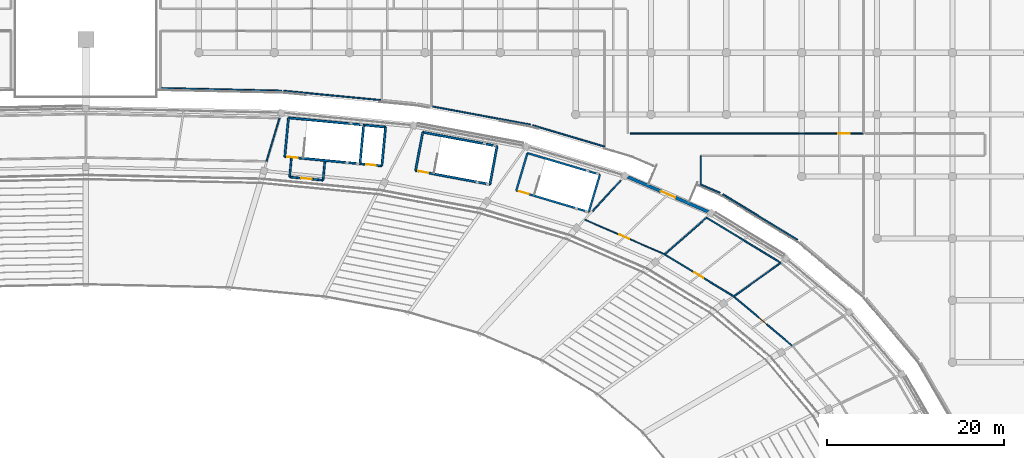
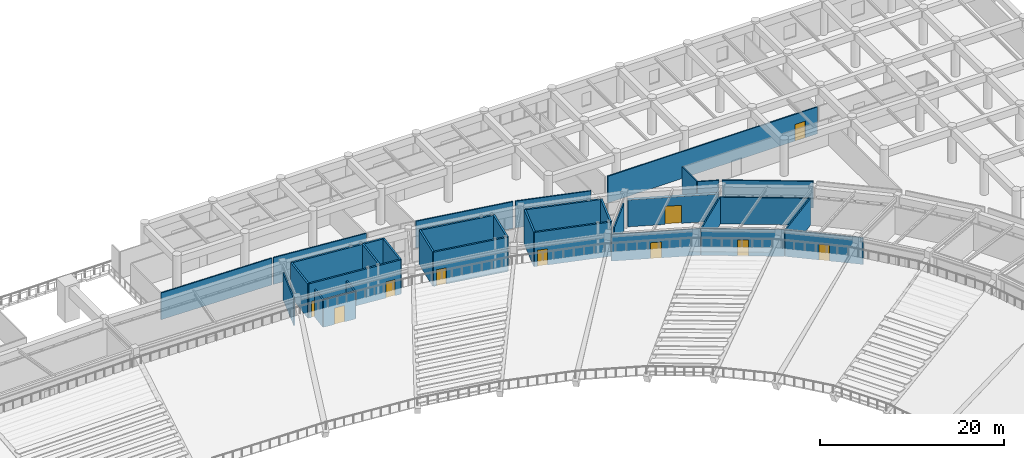
# One storey, part 106 of 137: 33 walls, 10 doors, 10 openings.
"""IFC4 building model written with IfcOpenShell, lengths in metres."""

from ifc_helpers import new_model, si_unit, direction, frame, frame_2d, origin, place, context, subcontext, project, spatial, rectangle, extrude, material, layer, layer_set, type_object, element, fill, save


model = new_model("IFC4")

# Units and contexts
model_context = context("Model", 3, precision=1e-05, world=origin(), true_north=direction((0.0, 1.0)))
body_context = subcontext(model_context, "Body", "Model", "MODEL_VIEW")
ifc_project = project(units=[si_unit("LENGTHUNIT", "METRE"), si_unit("AREAUNIT", "SQUARE_METRE"), si_unit("VOLUMEUNIT", "CUBIC_METRE"), si_unit("PLANEANGLEUNIT", "RADIAN"), si_unit("MASSUNIT", "GRAM", prefix="KILO")], contexts=[model_context])

# Site, building, storey
site_placement = place(None, origin())
site = spatial("IfcSite", under=ifc_project, at=site_placement, CompositionType="ELEMENT")
building_placement = place(site_placement, origin())
building = spatial("IfcBuilding", under=site, at=building_placement, Name="Mphavela Belvedere Stadium", CompositionType="ELEMENT")
storey_placement = place(building_placement, frame((0.0, 0.0, 19.199951171875)))
storey = spatial("IfcBuildingStorey", under=building, at=storey_placement, Name="L04", CompositionType="ELEMENT", Elevation=19.199951171875)

# Walls
ifc_material_1 = material(Name="Concrete C40/50", Category="concrete")
ifc_layer_1 = layer(ifc_material_1, 0.219970703125)
ifc_layer_set_1 = layer_set([ifc_layer_1], Name="Concrete C40/50")
wall_type_1 = type_object("IfcWallType", Name="WAL-CORE-SHEAR-220", PredefinedType="SHEAR", material=ifc_layer_set_1)
wall_1_placement = place(storey_placement, frame((137.908935546875, 159.633544921875, 0.0), z_axis=(0.0, 0.0, 1.0), x_axis=(0.99547962713, -0.094975322952, 0.0)))
element("IfcWall", 1, at=wall_1_placement, inside=storey, type_object=wall_type_1, Name="Core C03 shear wall L04 rear", PredefinedType="SHEAR", context=body_context, shape_type="SweptSolid", body=[
    extrude(rectangle(XDim=11.02001953125, YDim=0.219970703125, at=frame_2d((5.510009765625, 0.0))), origin(), (0.0, 0.0, 1.0), 4.550048828125),
])
wall_2_placement = place(storey_placement, frame((137.489990234375, 155.243408203125, 0.0), z_axis=(0.0, 0.0, 1.0), x_axis=(0.094997189401, 0.995477540684, 0.0)))
element("IfcWall", 2, at=wall_2_placement, inside=storey, type_object=wall_type_1, Name="Core C03 shear wall L04 left", PredefinedType="SHEAR", context=body_context, shape_type="SweptSolid", body=[
    extrude(rectangle(XDim=4.41015625, YDim=0.219970703125, at=frame_2d((2.205078125, 0.0))), origin(), (0.0, 0.0, 1.0), 4.550048828125),
])
wall_3_placement = place(storey_placement, frame((148.460205078125, 154.197021484375, 0.0), z_axis=(0.0, 0.0, 1.0), x_axis=(0.095002424918, 0.995477041051, 0.0)))
element("IfcWall", 3, at=wall_3_placement, inside=storey, type_object=wall_type_1, Name="Core C03 shear wall L04 right", PredefinedType="SHEAR", context=body_context, shape_type="SweptSolid", body=[
    extrude(rectangle(XDim=4.409912109375, YDim=0.219970703125, at=frame_2d((2.205078125, 0.0))), origin(), (0.0, 0.0, 1.0), 4.550048828125),
])

# Wall, openings, doors
wall_4_placement = place(storey_placement, frame((137.489990234375, 155.243408203125, 0.0), z_axis=(0.0, 0.0, 1.0), x_axis=(0.995481721489, -0.094953368458, 0.0)))
wall_4 = element("IfcWall", 4, at=wall_4_placement, inside=storey, type_object=wall_type_1, Name="Core C03 shear wall L04 front", PredefinedType="SHEAR", context=body_context, shape_type="SweptSolid", body=[
    extrude(rectangle(XDim=11.02001953125, YDim=0.219970703125, at=frame_2d((5.510009765625, 0.0))), origin(), (0.0, 0.0, 1.0), 4.550048828125),
])
opening_1_placement = place(wall_4_placement, frame((0.300048828125, 0.0, 0.0)))
opening_1 = element("IfcOpeningElement", 5, at=opening_1_placement, cuts=wall_4, Name="Opening SD-015", PredefinedType="OPENING", context=body_context, shape_type="SweptSolid", body=[
    extrude(rectangle(XDim=1.14990234375, YDim=2.14990234375, at=frame_2d((0.574951171875, 1.074951171875))), frame((0.0, 0.1201171875, 0.0), z_axis=(0.0, -1.0, 0.0), x_axis=(1.0, 0.0, 0.0)), (0.0, 0.0, 1.0), 0.239990234375),
])
opening_2_placement = place(wall_4_placement, frame((9.22998046875, 0.0, 0.0)))
opening_2 = element("IfcOpeningElement", 6, at=opening_2_placement, cuts=wall_4, Name="Opening LD-015", PredefinedType="OPENING", context=body_context, shape_type="SweptSolid", body=[
    extrude(rectangle(XDim=1.10009765625, YDim=2.14990234375, at=frame_2d((0.550048828125, 1.074951171875))), frame((0.0, 0.1201171875, 0.0), z_axis=(0.0, -1.0, 0.0), x_axis=(1.0, 0.0, 0.0)), (0.0, 0.0, 1.0), 0.239990234375),
])
ifc_material_2 = material(Name="Stainless steel center-parting lift landing door", Category="steel")
door_type_1 = type_object("IfcDoorType", Name="DR-LIFT-SLIDE-1100", OperationType="NOTDEFINED", PredefinedType="DOOR", material=ifc_material_2)
door_1_placement = place(opening_2_placement, origin())
door_1 = element("IfcDoor", 7, at=door_1_placement, inside=storey, type_object=door_type_1, Name="Lift landing sliding door FL02 L04", OperationType="DOUBLE_DOOR_SLIDING", OverallHeight=2.14990234375, OverallWidth=1.10009765625, PredefinedType="DOOR", context=body_context, shape_type="SweptSolid", body=[
    extrude(rectangle(XDim=1.10009765625, YDim=2.14990234375, at=frame_2d((0.550048828125, 1.074951171875))), frame((0.0, 0.02490234375, 0.0), z_axis=(0.0, -1.0, 0.0), x_axis=(1.0, 0.0, 0.0)), (0.0, 0.0, 1.0), 0.050048828125),
])
fill(opening_2, door_1)
ifc_material_3 = material(Name="Steel acoustic fire-resisting stair doorset", Category="steel")
door_type_2 = type_object("IfcDoorType", Name="DR-STAIR-FIRE-1150", OperationType="NOTDEFINED", PredefinedType="DOOR", material=ifc_material_3)
door_2_placement = place(opening_1_placement, origin())
door_2 = element("IfcDoor", 8, at=door_2_placement, inside=storey, type_object=door_type_2, Name="Escape stair fire door C03 L04", OperationType="SINGLE_SWING_RIGHT", OverallHeight=2.14990234375, OverallWidth=1.14990234375, PredefinedType="DOOR", context=body_context, shape_type="SweptSolid", body=[
    extrude(rectangle(XDim=1.14990234375, YDim=2.14990234375, at=frame_2d((0.574951171875, 1.074951171875))), frame((0.0, 0.02490234375, 0.0), z_axis=(0.0, -1.0, 0.0), x_axis=(1.0, 0.0, 0.0)), (0.0, 0.0, 1.0), 0.050048828125),
])
fill(opening_1, door_2)

# Walls
wall_5_placement = place(storey_placement, frame((145.991455078125, 154.432373046875, 0.0), z_axis=(0.0, 0.0, 1.0), x_axis=(0.094997189401, 0.995477540684, 0.0)))
element("IfcWall", 9, at=wall_5_placement, inside=storey, type_object=wall_type_1, Name="Core C03 shear wall L04 div", PredefinedType="SHEAR", context=body_context, shape_type="SweptSolid", body=[
    extrude(rectangle(XDim=4.41015625, YDim=0.219970703125, at=frame_2d((2.205078125, 0.0))), origin(), (0.0, 0.0, 1.0), 4.550048828125),
])
wall_6_placement = place(storey_placement, frame((164.917724609375, 155.643798828125, 0.0), z_axis=(0.0, 0.0, 1.0), x_axis=(0.958675743706, -0.284500998997, 0.0)))
element("IfcWall", 10, at=wall_6_placement, inside=storey, type_object=wall_type_1, Name="Core P01 shear wall L04 rear", PredefinedType="SHEAR", context=body_context, shape_type="SweptSolid", body=[
    extrude(rectangle(XDim=8.540283203125, YDim=0.219970703125, at=frame_2d((4.27001953125, 0.0))), origin(), (0.0, 0.0, 1.0), 4.550048828125),
])
wall_7_placement = place(storey_placement, frame((163.6630859375, 151.416015625, 0.0), z_axis=(0.0, 0.0, 1.0), x_axis=(0.284497328872, 0.958676832861, 0.0)))
element("IfcWall", 11, at=wall_7_placement, inside=storey, type_object=wall_type_1, Name="Core P01 shear wall L04 left", PredefinedType="SHEAR", context=body_context, shape_type="SweptSolid", body=[
    extrude(rectangle(XDim=4.409912109375, YDim=0.219970703125, at=frame_2d((2.205078125, 0.0))), origin(), (0.0, 0.0, 1.0), 4.550048828125),
])
wall_8_placement = place(storey_placement, frame((171.85009765625, 148.986083984375, 0.0), z_axis=(0.0, 0.0, 1.0), x_axis=(0.284533106789, 0.958666214665, 0.0)))
element("IfcWall", 12, at=wall_8_placement, inside=storey, type_object=wall_type_1, Name="Core P01 shear wall L04 right", PredefinedType="SHEAR", context=body_context, shape_type="SweptSolid", body=[
    extrude(rectangle(XDim=4.410400390625, YDim=0.219970703125, at=frame_2d((2.205078125, 0.0))), origin(), (0.0, 0.0, 1.0), 4.550048828125),
])

# Wall, opening, door
wall_9_placement = place(storey_placement, frame((163.6630859375, 151.416015625, 0.0), z_axis=(0.0, 0.0, 1.0), x_axis=(0.958665631999, -0.284535069937, 0.0)))
wall_9 = element("IfcWall", 13, at=wall_9_placement, inside=storey, type_object=wall_type_1, Name="Core P01 shear wall L04 front", PredefinedType="SHEAR", context=body_context, shape_type="SweptSolid", body=[
    extrude(rectangle(XDim=8.5400390625, YDim=0.219970703125, at=frame_2d((4.27001953125, 0.0))), origin(), (0.0, 0.0, 1.0), 4.550048828125),
])
opening_3_placement = place(wall_9_placement, frame((0.300048828125, 0.0, 0.0)))
opening_3 = element("IfcOpeningElement", 14, at=opening_3_placement, cuts=wall_9, Name="Opening SD-071", PredefinedType="OPENING", context=body_context, shape_type="SweptSolid", body=[
    extrude(rectangle(XDim=1.14990234375, YDim=2.14990234375, at=frame_2d((0.574951171875, 1.074951171875))), frame((0.0, 0.1201171875, 0.0), z_axis=(0.0, -1.0, 0.0), x_axis=(1.0, 0.0, 0.0)), (0.0, 0.0, 1.0), 0.239990234375),
])
door_3_placement = place(opening_3_placement, origin())
door_3 = element("IfcDoor", 15, at=door_3_placement, inside=storey, type_object=door_type_2, Name="Escape stair fire door P01 L04", OperationType="SINGLE_SWING_LEFT", OverallHeight=2.14990234375, OverallWidth=1.14990234375, PredefinedType="DOOR", context=body_context, shape_type="SweptSolid", body=[
    extrude(rectangle(XDim=1.14990234375, YDim=2.14990234375, at=frame_2d((0.574951171875, 1.074951171875))), frame((0.0, 0.02490234375, 0.0), z_axis=(0.0, -1.0, 0.0), x_axis=(1.0, 0.0, 0.0)), (0.0, 0.0, 1.0), 0.050048828125),
])
fill(opening_3, door_3)

# Walls
wall_10_placement = place(storey_placement, frame((153.0859375, 158.00146484375, 0.0), z_axis=(0.0, 0.0, 1.0), x_axis=(0.983097993869, -0.18308013123, 0.0)))
element("IfcWall", 16, at=wall_10_placement, inside=storey, type_object=wall_type_1, Name="Core P02 shear wall L04 rear", PredefinedType="SHEAR", context=body_context, shape_type="SweptSolid", body=[
    extrude(rectangle(XDim=8.539794921875, YDim=0.219970703125, at=frame_2d((4.27001953125, 0.0))), origin(), (0.0, 0.0, 1.0), 4.550048828125),
])
for number, where, z_axis, x_axis, name in (
    (17, (152.278564453125, 153.666015625, 0.0), (0.0, 0.0, 1.0), (0.183078394814, 0.983098317236, 0.0), "Core P02 shear wall L04 left"),
    (18, (160.674072265625, 152.1025390625, 0.0), (0.0, 0.0, 1.0), (0.183078394814, 0.983098317236, 0.0), "Core P02 shear wall L04 right"),
):
    element("IfcWall", number, at=place(storey_placement, frame(where, z_axis=z_axis, x_axis=x_axis)), inside=storey, type_object=wall_type_1, Name=name, PredefinedType="SHEAR", context=body_context, shape_type="SweptSolid", body=[
        extrude(rectangle(XDim=4.409912109375, YDim=0.219970703125, at=frame_2d((2.205078125, 0.0))), origin(), (0.0, 0.0, 1.0), 4.550048828125),
    ])

# Wall, opening, door
wall_11_placement = place(storey_placement, frame((152.278564453125, 153.666015625, 0.0), z_axis=(0.0, 0.0, 1.0), x_axis=(0.983097993869, -0.18308013123, 0.0)))
wall_11 = element("IfcWall", 19, at=wall_11_placement, inside=storey, type_object=wall_type_1, Name="Core P02 shear wall L04 front", PredefinedType="SHEAR", context=body_context, shape_type="SweptSolid", body=[
    extrude(rectangle(XDim=8.539794921875, YDim=0.219970703125, at=frame_2d((4.27001953125, 0.0))), origin(), (0.0, 0.0, 1.0), 4.550048828125),
])
opening_4_placement = place(wall_11_placement, frame((0.300048828125, 0.0, 0.0)))
opening_4 = element("IfcOpeningElement", 20, at=opening_4_placement, cuts=wall_11, Name="Opening SD-076", PredefinedType="OPENING", context=body_context, shape_type="SweptSolid", body=[
    extrude(rectangle(XDim=1.14990234375, YDim=2.14990234375, at=frame_2d((0.574951171875, 1.074951171875))), frame((0.0, 0.1201171875, 0.0), z_axis=(0.0, -1.0, 0.0), x_axis=(1.0, 0.0, 0.0)), (0.0, 0.0, 1.0), 0.239990234375),
])
door_4_placement = place(opening_4_placement, origin())
door_4 = element("IfcDoor", 21, at=door_4_placement, inside=storey, type_object=door_type_2, Name="Escape stair fire door P02 L04", OperationType="SINGLE_SWING_RIGHT", OverallHeight=2.14990234375, OverallWidth=1.14990234375, PredefinedType="DOOR", context=body_context, shape_type="SweptSolid", body=[
    extrude(rectangle(XDim=1.14990234375, YDim=2.14990234375, at=frame_2d((0.574951171875, 1.074951171875))), frame((0.0, 0.02490234375, 0.0), z_axis=(0.0, -1.0, 0.0), x_axis=(1.0, 0.0, 0.0)), (0.0, 0.0, 1.0), 0.050048828125),
])
fill(opening_4, door_4)

ifc_material_4 = material(Name="Honed ashlar limestone masonry", Category="masonry")
ifc_layer_2 = layer(ifc_material_4, 0.35009765625)
ifc_layer_set_2 = layer_set([ifc_layer_2], Name="Honed ashlar limestone masonry")
wall_type_2 = type_object("IfcWallType", Name="WAL-EXT-ASHLAR-350", PredefinedType="STANDARD", material=ifc_layer_set_2)
wall_12_placement = place(storey_placement, frame((176.2568359375, 152.952880859375, 0.0), z_axis=(0.0, 0.0, 1.0), x_axis=(0.917498268626, -0.397739773052, 0.0)))
wall_12 = element("IfcWall", 22, at=wall_12_placement, inside=storey, type_object=wall_type_2, Name="Classical link portal wall L04-08", PredefinedType="STANDARD", context=body_context, shape_type="SweptSolid", body=[
    extrude(rectangle(XDim=9.940185546875, YDim=0.35009765625, at=frame_2d((4.97021484375, 0.0))), origin(), (0.0, 0.0, 1.0), 3.570068359375),
])
opening_5_placement = place(wall_12_placement, frame((4.070068359375, 0.0, 0.0)))
opening_5 = element("IfcOpeningElement", 23, at=opening_5_placement, cuts=wall_12, Name="Opening ID-9407", PredefinedType="OPENING", context=body_context, shape_type="SweptSolid", body=[
    extrude(rectangle(XDim=1.800048828125, YDim=2.39990234375, at=frame_2d((0.89990234375, 1.199951171875))), frame((0.0, 0.18505859375, 0.0), z_axis=(0.0, -1.0, 0.0), x_axis=(1.0, 0.0, 0.0)), (0.0, 0.0, 1.0), 0.3701171875),
])
ifc_material_5 = material(Name="Glazed bronze-anodised steel exit doorset", Category="steel")
door_type_3 = type_object("IfcDoorType", Name="DR-EXT-01", OperationType="NOTDEFINED", PredefinedType="DOOR", material=ifc_material_5)
door_5_placement = place(opening_5_placement, origin())
door_5 = element("IfcDoor", 24, at=door_5_placement, inside=storey, type_object=door_type_3, Name="Wing promenade link doorset L04-08", OperationType="DOUBLE_DOOR_SINGLE_SWING", OverallHeight=2.39990234375, OverallWidth=1.800048828125, PredefinedType="DOOR", context=body_context, shape_type="SweptSolid", body=[
    extrude(rectangle(XDim=1.800048828125, YDim=2.39990234375, at=frame_2d((0.89990234375, 1.199951171875))), frame((0.0, 0.02490234375, 0.0), z_axis=(0.0, -1.0, 0.0), x_axis=(1.0, 0.0, 0.0)), (0.0, 0.0, 1.0), 0.050048828125),
])
fill(opening_5, door_5)

ifc_material_6 = material(Name="Moisture-resistant sanitary partition assembly")
ifc_layer_3 = layer(ifc_material_6, 0.125)
ifc_layer_set_3 = layer_set([ifc_layer_3], Name="Moisture-resistant sanitary partition assembly")
wall_type_3 = type_object("IfcWallType", Name="WAL-PART-125", PredefinedType="PARTITIONING", material=ifc_layer_set_3)
wall_13_placement = place(storey_placement, frame((180.353515625, 144.239013671875, 0.0), z_axis=(0.0, 0.0, 1.0), x_axis=(-0.917512083526, 0.397707903596, 0.0)))
wall_13 = element("IfcWall", 25, at=wall_13_placement, inside=storey, type_object=wall_type_3, Name="Room L04-47 corridor partition", PredefinedType="PARTITIONING", context=body_context, shape_type="SweptSolid", body=[
    extrude(rectangle(XDim=9.751953125, YDim=0.125, at=frame_2d((4.8759765625, 0.0))), origin(), (0.0, 0.0, 1.0), 3.550048828125),
])
opening_6_placement = place(wall_13_placement, frame((4.265869140625, 0.0, 0.0)))
opening_6 = element("IfcOpeningElement", 26, at=opening_6_placement, cuts=wall_13, Name="Opening ID-333", PredefinedType="OPENING", context=body_context, shape_type="SweptSolid", body=[
    extrude(rectangle(XDim=1.219970703125, YDim=2.10009765625, at=frame_2d((0.60986328125, 1.050048828125))), frame((0.0, 0.072509765625, 0.0), z_axis=(0.0, -1.0, 0.0), x_axis=(1.0, 0.0, 0.0)), (0.0, 0.0, 1.0), 0.14501953125),
])
ifc_material_7 = material(Name="Hardwood acoustic timber doorset", Category="wood")
door_type_4 = type_object("IfcDoorType", Name="DR-INT-09", OperationType="NOTDEFINED", PredefinedType="DOOR", material=ifc_material_7)
door_6_placement = place(opening_6_placement, origin())
door_6 = element("IfcDoor", 27, at=door_6_placement, inside=storey, type_object=door_type_4, Name="Room L04-47 entrance door ID-333", OperationType="SINGLE_SWING_LEFT", OverallHeight=2.10009765625, OverallWidth=1.219970703125, PredefinedType="DOOR", context=body_context, shape_type="SweptSolid", body=[
    extrude(rectangle(XDim=1.219970703125, YDim=2.10009765625, at=frame_2d((0.60986328125, 1.050048828125))), frame((0.0, 0.02490234375, 0.0), z_axis=(0.0, -1.0, 0.0), x_axis=(1.0, 0.0, 0.0)), (0.0, 0.0, 1.0), 0.050048828125),
])
fill(opening_6, door_6)

ifc_material_8 = material(Name="Acoustic gypsum stud partition assembly")
ifc_layer_4 = layer(ifc_material_8, 0.14990234375)
ifc_layer_set_4 = layer_set([ifc_layer_4], Name="Acoustic gypsum stud partition assembly")
wall_type_4 = type_object("IfcWallType", Name="WAL-PART-150", PredefinedType="PARTITIONING", material=ifc_layer_set_4)
wall_14_placement = place(storey_placement, frame((194.826416015625, 133.87939453125, 0.0), z_axis=(0.0, 0.0, 1.0), x_axis=(-0.764262219363, 0.644905621044, 0.0)))
wall_14 = element("IfcWall", 28, at=wall_14_placement, inside=storey, type_object=wall_type_4, Name="Room L04-43 corridor partition", PredefinedType="PARTITIONING", context=body_context, shape_type="SweptSolid", body=[
    extrude(rectangle(XDim=8.609375, YDim=0.14990234375, at=frame_2d((4.3046875, 0.0))), origin(), (0.0, 0.0, 1.0), 3.550048828125),
])
opening_7_placement = place(wall_14_placement, frame((3.734619140625, 0.0, 0.0)))
opening_7 = element("IfcOpeningElement", 29, at=opening_7_placement, cuts=wall_14, Name="Opening ID-331", PredefinedType="OPENING", context=body_context, shape_type="SweptSolid", body=[
    extrude(rectangle(XDim=1.139892578125, YDim=2.10009765625, at=frame_2d((0.56982421875, 1.050048828125))), frame((0.0, 0.0849609375, 0.0), z_axis=(0.0, -1.0, 0.0), x_axis=(1.0, 0.0, 0.0)), (0.0, 0.0, 1.0), 0.169921875),
])
ifc_material_9 = material(Name="Hardwood acoustic timber doorset", Category="wood")
door_type_5 = type_object("IfcDoorType", Name="DR-INT-07", OperationType="NOTDEFINED", PredefinedType="DOOR", material=ifc_material_9)
door_7_placement = place(opening_7_placement, origin())
door_7 = element("IfcDoor", 30, at=door_7_placement, inside=storey, type_object=door_type_5, Name="Room L04-43 entrance door ID-331", OperationType="SINGLE_SWING_LEFT", OverallHeight=2.10009765625, OverallWidth=1.139892578125, PredefinedType="DOOR", context=body_context, shape_type="SweptSolid", body=[
    extrude(rectangle(XDim=1.139892578125, YDim=2.10009765625, at=frame_2d((0.56982421875, 1.050048828125))), frame((0.0, 0.02490234375, 0.0), z_axis=(0.0, -1.0, 0.0), x_axis=(1.0, 0.0, 0.0)), (0.0, 0.0, 1.0), 0.050048828125),
])
fill(opening_7, door_7)

wall_15_placement = place(storey_placement, frame((188.1796875, 139.482177734375, 0.0), z_axis=(0.0, 0.0, 1.0), x_axis=(-0.85432634766, 0.519736944707, 0.0)))
wall_15 = element("IfcWall", 31, at=wall_15_placement, inside=storey, type_object=wall_type_4, Name="Room L04-45 corridor partition", PredefinedType="PARTITIONING", context=body_context, shape_type="SweptSolid", body=[
    extrude(rectangle(XDim=9.073486328125, YDim=0.14990234375, at=frame_2d((4.53662109375, 0.0))), origin(), (0.0, 0.0, 1.0), 3.550048828125),
])
opening_8_placement = place(wall_15_placement, frame((3.94677734375, 0.0, 0.0)))
opening_8 = element("IfcOpeningElement", 32, at=opening_8_placement, cuts=wall_15, Name="Opening ID-332", PredefinedType="OPENING", context=body_context, shape_type="SweptSolid", body=[
    extrude(rectangle(XDim=1.179931640625, YDim=2.10009765625, at=frame_2d((0.58984375, 1.050048828125))), frame((0.0, 0.0849609375, 0.0), z_axis=(0.0, -1.0, 0.0), x_axis=(1.0, 0.0, 0.0)), (0.0, 0.0, 1.0), 0.169921875),
])
ifc_material_10 = material(Name="Hardwood acoustic timber doorset", Category="wood")
door_type_6 = type_object("IfcDoorType", Name="DR-INT-08", OperationType="NOTDEFINED", PredefinedType="DOOR", material=ifc_material_10)
door_8_placement = place(opening_8_placement, origin())
door_8 = element("IfcDoor", 33, at=door_8_placement, inside=storey, type_object=door_type_6, Name="Room L04-45 entrance door ID-332", OperationType="SINGLE_SWING_RIGHT", OverallHeight=2.10009765625, OverallWidth=1.179931640625, PredefinedType="DOOR", context=body_context, shape_type="SweptSolid", body=[
    extrude(rectangle(XDim=1.179931640625, YDim=2.10009765625, at=frame_2d((0.58984375, 1.050048828125))), frame((0.0, 0.02490234375, 0.0), z_axis=(0.0, -1.0, 0.0), x_axis=(1.0, 0.0, 0.0)), (0.0, 0.0, 1.0), 0.050048828125),
])
fill(opening_8, door_8)

wall_16_placement = place(storey_placement, frame((202.89990234375, 157.860107421875, 0.0), z_axis=(0.0, 0.0, 1.0), x_axis=(-1.0, 0.0, 0.0)))
wall_16 = element("IfcWall", 34, at=wall_16_placement, inside=storey, type_object=wall_type_4, Name="Room L04-122 corridor partition", PredefinedType="PARTITIONING", context=body_context, shape_type="SweptSolid", body=[
    extrude(rectangle(XDim=26.349853515625, YDim=0.14990234375, at=frame_2d((13.1748046875, 0.0))), origin(), (0.0, 0.0, 1.0), 3.550048828125),
])
opening_9_placement = place(wall_16_placement, frame((1.53955078125, 0.0, 0.0)))
opening_9 = element("IfcOpeningElement", 35, at=opening_9_placement, cuts=wall_16, Name="Opening ID-491", PredefinedType="OPENING", context=body_context, shape_type="SweptSolid", body=[
    extrude(rectangle(XDim=1.320068359375, YDim=2.199951171875, at=frame_2d((0.66015625, 1.10009765625))), frame((0.0, 0.0849609375, 0.0), z_axis=(0.0, -1.0, 0.0), x_axis=(1.0, 0.0, 0.0)), (0.0, 0.0, 1.0), 0.169921875),
])
ifc_material_11 = material(Name="Hardwood acoustic timber doorset", Category="wood")
door_type_7 = type_object("IfcDoorType", Name="DR-INT-23", OperationType="NOTDEFINED", PredefinedType="DOOR", material=ifc_material_11)
door_9_placement = place(opening_9_placement, origin())
door_9 = element("IfcDoor", 36, at=door_9_placement, inside=storey, type_object=door_type_7, Name="Room L04-122 entrance door ID-491", OperationType="SINGLE_SWING_LEFT", OverallHeight=2.199951171875, OverallWidth=1.320068359375, PredefinedType="DOOR", context=body_context, shape_type="SweptSolid", body=[
    extrude(rectangle(XDim=1.320068359375, YDim=2.199951171875, at=frame_2d((0.66015625, 1.10009765625))), frame((0.0, 0.02490234375, 0.0), z_axis=(0.0, -1.0, 0.0), x_axis=(1.0, 0.0, 0.0)), (0.0, 0.0, 1.0), 0.050048828125),
])
fill(opening_9, door_9)

# Walls
wall_17_placement = place(storey_placement, frame((188.24658203125, 139.431640625, 0.0), z_axis=(0.0, 0.0, 1.0), x_axis=(0.812889091692, 0.582418513277, 0.0)))
element("IfcWall", 37, at=wall_17_placement, inside=storey, type_object=wall_type_4, Name="Room divider partition L04-0595", PredefinedType="PARTITIONING", context=body_context, shape_type="SweptSolid", body=[
    extrude(rectangle(XDim=6.53173828125, YDim=0.14990234375, at=frame_2d((3.265869140625, 0.0))), origin(), (0.0, 0.0, 1.0), 3.550048828125),
])
wall_18_placement = place(storey_placement, frame((180.427978515625, 144.197998046875, 0.0), z_axis=(0.0, 0.0, 1.0), x_axis=(0.75256948957, 0.65851284222, 0.0)))
element("IfcWall", 38, at=wall_18_placement, inside=storey, type_object=wall_type_4, Name="Room divider partition L04-0597", PredefinedType="PARTITIONING", context=body_context, shape_type="SweptSolid", body=[
    extrude(rectangle(XDim=6.297119140625, YDim=0.14990234375, at=frame_2d((3.1484375, 0.0))), origin(), (0.0, 0.0, 1.0), 3.550048828125),
])
wall_19_placement = place(storey_placement, frame((185.1669921875, 148.3447265625, 0.0), z_axis=(0.0, 0.0, 1.0), x_axis=(0.854310862528, -0.519762397799, 0.0)))
element("IfcWall", 39, at=wall_19_placement, inside=storey, type_object=wall_type_4, Name="Room divider partition L04-0598", PredefinedType="PARTITIONING", context=body_context, shape_type="SweptSolid", body=[
    extrude(rectangle(XDim=9.7373046875, YDim=0.14990234375, at=frame_2d((4.86865234375, 0.0))), origin(), (0.0, 0.0, 1.0), 3.550048828125),
])
wall_20_placement = place(storey_placement, frame((172.2861328125, 149.072021484375, 0.0), z_axis=(0.0, 0.0, 1.0), x_axis=(0.677863500672, 0.735187781765, 0.0)))
element("IfcWall", 40, at=wall_20_placement, inside=storey, type_object=wall_type_4, Name="Room divider partition L04-0599", PredefinedType="PARTITIONING", context=body_context, shape_type="SweptSolid", body=[
    extrude(rectangle(XDim=4.72314453125, YDim=0.14990234375, at=frame_2d((2.361572265625, 0.0))), origin(), (0.0, 0.0, 1.0), 3.550048828125),
])
wall_21_placement = place(storey_placement, frame((136.894287109375, 159.6025390625, 0.0), z_axis=(0.0, 0.0, 1.0), x_axis=(-0.289258185314, -0.957251117643, 0.0)))
element("IfcWall", 41, at=wall_21_placement, inside=storey, type_object=wall_type_4, Name="Room divider partition L04-0602", PredefinedType="PARTITIONING", context=body_context, shape_type="SweptSolid", body=[
    extrude(rectangle(XDim=5.110595703125, YDim=0.14990234375, at=frame_2d((2.55517578125, 0.0))), origin(), (0.0, 0.0, 1.0), 3.550048828125),
])
wall_22_placement = place(storey_placement, frame((195.455078125, 145.850341796875, 0.0), z_axis=(0.0, 0.0, 1.0), x_axis=(-0.854333268174, 0.519725568826, 0.0)))
element("IfcWall", 42, at=wall_22_placement, inside=storey, type_object=wall_type_4, Name="Room divider partition L04-1104", PredefinedType="PARTITIONING", context=body_context, shape_type="SweptSolid", body=[
    extrude(rectangle(XDim=9.90185546875, YDim=0.14990234375, at=frame_2d((4.950927734375, 0.0))), origin(), (0.0, 0.0, 1.0), 3.550048828125),
])
wall_23_placement = place(storey_placement, frame((186.6904296875, 151.154541015625, 0.0), z_axis=(0.0, 0.0, 1.0), x_axis=(-0.917484400903, 0.397771761314, 0.0)))
element("IfcWall", 43, at=wall_23_placement, inside=storey, type_object=wall_type_4, Name="Room divider partition L04-1105", PredefinedType="PARTITIONING", context=body_context, shape_type="SweptSolid", body=[
    extrude(rectangle(XDim=2.37646484375, YDim=0.14990234375, at=frame_2d((1.188232421875, 0.0))), origin(), (0.0, 0.0, 1.0), 3.550048828125),
])
wall_24_placement = place(storey_placement, frame((184.510009765625, 152.099853515625, 0.0), z_axis=(0.0, 0.0, 1.0), x_axis=(0.0, 1.0, 0.0)))
element("IfcWall", 44, at=wall_24_placement, inside=storey, type_object=wall_type_4, Name="Room divider partition L04-1106", PredefinedType="PARTITIONING", context=body_context, shape_type="SweptSolid", body=[
    extrude(rectangle(XDim=3.240234375, YDim=0.14990234375, at=frame_2d((1.6201171875, 0.0))), origin(), (0.0, 0.0, 1.0), 3.550048828125),
])
wall_25_placement = place(storey_placement, frame((137.16845703125, 162.693115234375, 0.0), z_axis=(0.0, 0.0, 1.0), x_axis=(-0.999768230535, 0.021528706714, 0.0)))
element("IfcWall", 45, at=wall_25_placement, inside=storey, type_object=wall_type_4, Name="Room divider partition L04-1124", PredefinedType="PARTITIONING", context=body_context, shape_type="SweptSolid", body=[
    extrude(rectangle(XDim=13.7216796875, YDim=0.14990234375, at=frame_2d((6.86083984375, 0.0))), origin(), (0.0, 0.0, 1.0), 3.550048828125),
])
wall_26_placement = place(storey_placement, frame((148.445068359375, 161.624755859375, 0.0), z_axis=(0.0, 0.0, 1.0), x_axis=(-0.995483944756, 0.094930057059, 0.0)))
element("IfcWall", 46, at=wall_26_placement, inside=storey, type_object=wall_type_4, Name="Room divider partition L04-1127", PredefinedType="PARTITIONING", context=body_context, shape_type="SweptSolid", body=[
    extrude(rectangle(XDim=11.1435546875, YDim=0.14990234375, at=frame_2d((5.57177734375, 0.0))), origin(), (0.0, 0.0, 1.0), 3.550048828125),
])
wall_27_placement = place(storey_placement, frame((173.639892578125, 156.381103515625, 0.0), z_axis=(0.0, 0.0, 1.0), x_axis=(-0.95866000112, 0.284554041006, 0.0)))
element("IfcWall", 47, at=wall_27_placement, inside=storey, type_object=wall_type_4, Name="Room divider partition L04-1132", PredefinedType="PARTITIONING", context=body_context, shape_type="SweptSolid", body=[
    extrude(rectangle(XDim=8.477783203125, YDim=0.14990234375, at=frame_2d((4.23876953125, 0.0))), origin(), (0.0, 0.0, 1.0), 3.550048828125),
])
wall_28_placement = place(storey_placement, frame((165.2587890625, 158.8544921875, 0.0), z_axis=(0.0, 0.0, 1.0), x_axis=(-0.983091639371, 0.183114250127, 0.0)))
element("IfcWall", 48, at=wall_28_placement, inside=storey, type_object=wall_type_4, Name="Room divider partition L04-1133", PredefinedType="PARTITIONING", context=body_context, shape_type="SweptSolid", body=[
    extrude(rectangle(XDim=11.223388671875, YDim=0.14990234375, at=frame_2d((5.61181640625, 0.0))), origin(), (0.0, 0.0, 1.0), 3.550048828125),
])

# Wall, opening, door
ifc_material_12 = material(Name="Fire-rated calcium silicate partition assembly")
ifc_layer_5 = layer(ifc_material_12, 0.199951171875)
ifc_layer_set_5 = layer_set([ifc_layer_5], Name="Fire-rated calcium silicate partition assembly")
wall_type_5 = type_object("IfcWallType", Name="WAL-PART-FF-200", PredefinedType="PARTITIONING", material=ifc_layer_set_5)
wall_29_placement = place(storey_placement, frame((138.033447265625, 152.9365234375, 0.0), z_axis=(0.0, 0.0, 1.0), x_axis=(0.995481022971, -0.094960691361, 0.0)))
wall_29 = element("IfcWall", 49, at=wall_29_placement, inside=storey, type_object=wall_type_5, Name="Firefighting lobby front wall C03 L04", PredefinedType="PARTITIONING", context=body_context, shape_type="SweptSolid", body=[
    extrude(rectangle(XDim=3.7998046875, YDim=0.199951171875, at=frame_2d((1.89990234375, 0.0))), origin(), (0.0, 0.0, 1.0), 3.650146484375),
])
opening_10_placement = place(wall_29_placement, frame((1.300048828125, 0.0, 0.0)))
opening_10 = element("IfcOpeningElement", 50, at=opening_10_placement, cuts=wall_29, Name="Opening FD-010", PredefinedType="OPENING", context=body_context, shape_type="SweptSolid", body=[
    extrude(rectangle(XDim=1.199951171875, YDim=2.179931640625, at=frame_2d((0.60009765625, 1.08984375))), frame((0.0, 0.10986328125, 0.0), z_axis=(0.0, -1.0, 0.0), x_axis=(1.0, 0.0, 0.0)), (0.0, 0.0, 1.0), 0.219970703125),
])
ifc_material_13 = material(Name="Steel smoke-sealed firefighting lobby doorset", Category="steel")
door_type_8 = type_object("IfcDoorType", Name="DR-FF-LOBBY-1200", OperationType="NOTDEFINED", PredefinedType="DOOR", material=ifc_material_13)
door_10_placement = place(opening_10_placement, origin())
door_10 = element("IfcDoor", 51, at=door_10_placement, inside=storey, type_object=door_type_8, Name="Firefighting lobby door C03 L04", OperationType="SINGLE_SWING_LEFT", OverallHeight=2.179931640625, OverallWidth=1.199951171875, PredefinedType="DOOR", context=body_context, shape_type="SweptSolid", body=[
    extrude(rectangle(XDim=1.199951171875, YDim=2.179931640625, at=frame_2d((0.60009765625, 1.08984375))), frame((0.0, 0.02490234375, 0.0), z_axis=(0.0, -1.0, 0.0), x_axis=(1.0, 0.0, 0.0)), (0.0, 0.0, 1.0), 0.050048828125),
])
fill(opening_10, door_10)

# Walls
for number, where, z_axis, x_axis, name in (
    (52, (138.033447265625, 152.9365234375, 0.0), (0.0, 0.0, 1.0), (0.095010174536, 0.995476301443, 0.0), "Firefighting lobby side wall L C03 L04"),
    (53, (141.816162109375, 152.57568359375, 0.0), (0.0, 0.0, 1.0), (0.095010174536, 0.995476301443, 0.0), "Firefighting lobby side wall R C03 L04"),
):
    element("IfcWall", number, at=place(storey_placement, frame(where, z_axis=z_axis, x_axis=x_axis)), inside=storey, type_object=wall_type_5, Name=name, PredefinedType="PARTITIONING", context=body_context, shape_type="SweptSolid", body=[
        extrude(rectangle(XDim=2.119873046875, YDim=0.199951171875, at=frame_2d((1.06005859375, 0.0))), origin(), (0.0, 0.0, 1.0), 3.650146484375),
    ])

save(model, "model.ifc")
